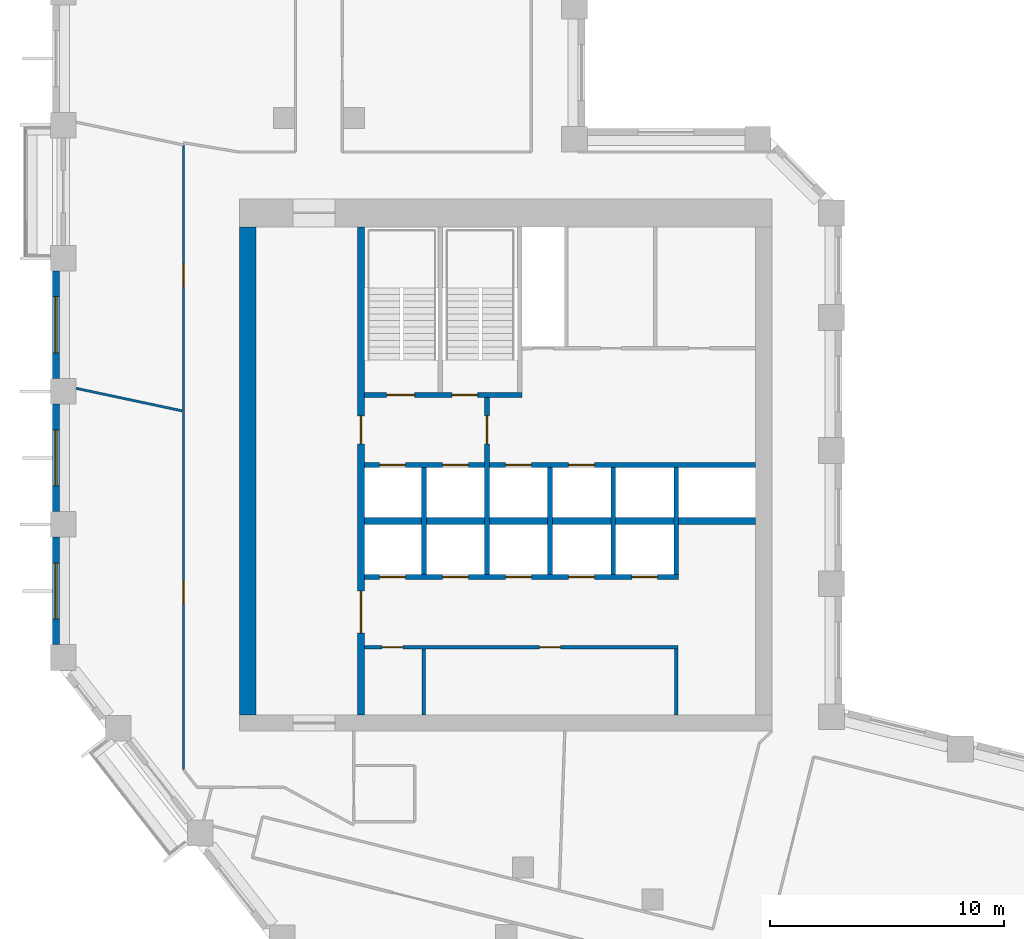
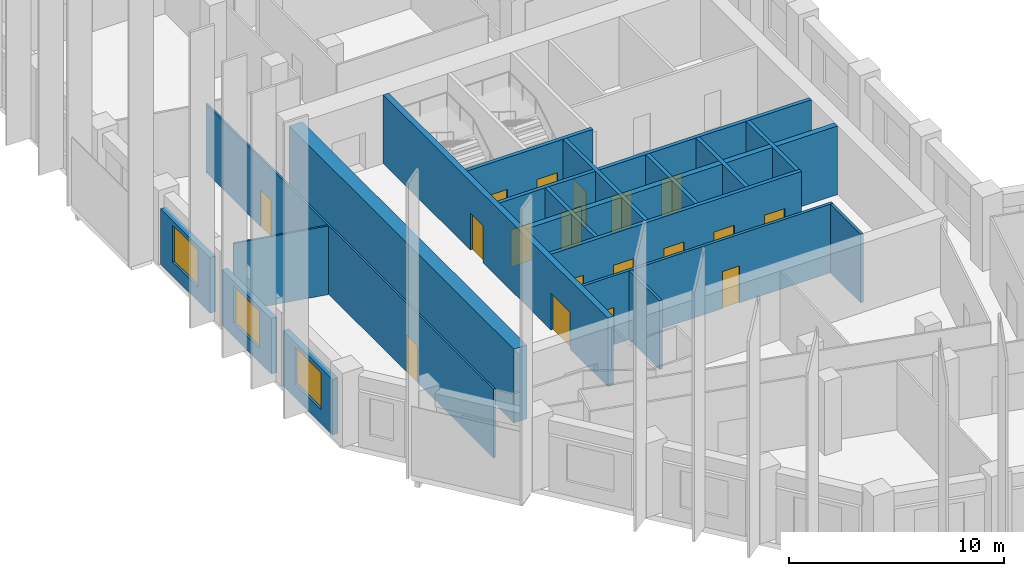
# One storey, part 5 of 10: 19 walls, 18 doors, 3 windows, 21 openings.
"""IFC4 building model written with IfcOpenShell, lengths in metres."""

import ifcopenshell
import ifcopenshell.guid

model = None  # the IFC model being written
_history = None  # IfcOwnerHistory: only IFC2X3 demands one
_inside = {}  # id of a spatial element -> (the spatial element, [elements in it])
_under = {}  # id of a project, library or spatial element -> (it, [spatial elements below it])
_declared = {}  # id of a project -> (the project, [libraries it declares])
_typed = {}  # id of a type object -> (the type object, [elements of that type])
_made_of = {}  # id of a material, layer set ... -> (it, [elements and type objects made of it])


def new_model(schema):
    """Start an empty IFC model of exactly this schema.

    Asked for "IFC4X3", IfcOpenShell would pick the latest addendum, in which some entities
    have other attributes; the version numbers below select the first issue.
    IFC2X3 requires an IfcOwnerHistory on every rooted entity: one is made here for all.
    """
    global model, _history
    if schema == "IFC4X3":
        model = ifcopenshell.file(schema_version=(4, 3, 0, 0))
    else:
        model = ifcopenshell.file(schema=schema)
    _inside.clear()
    _under.clear()
    _declared.clear()
    _typed.clear()
    _made_of.clear()
    _history = None
    if model.schema == "IFC2X3":
        org = make("IfcOrganization", Name="unknown")
        user = make(
            "IfcPersonAndOrganization",
            ThePerson=make("IfcPerson", FamilyName="unknown"),
            TheOrganization=org,
        )
        app = make(
            "IfcApplication",
            ApplicationDeveloper=org,
            Version="unknown",
            ApplicationFullName="unknown",
            ApplicationIdentifier="unknown",
        )
        _history = make(
            "IfcOwnerHistory",
            OwningUser=user,
            OwningApplication=app,
            ChangeAction="ADDED",
            CreationDate=0,
        )
    return model


def make(cls, **values):
    """One entity of the class cls with the attributes given. An attribute that is None is left unset."""
    return model.create_entity(
        cls, **{name: value for name, value in values.items() if value is not None}
    )


def rooted(cls, **values):
    """An entity with a GlobalId (a new one), such as an element, a storey or a relation."""
    return make(cls, GlobalId=ifcopenshell.guid.new(), OwnerHistory=_history, **values)


def si_unit(unit_type, name, prefix=None):
    """IfcSIUnit, for example si_unit("LENGTHUNIT", "METRE", prefix="MILLI")."""
    return make("IfcSIUnit", UnitType=unit_type, Prefix=prefix, Name=name)


def assignment(units):
    """IfcUnitAssignment: the units of a project."""
    return None if units is None else make("IfcUnitAssignment", Units=units)


def point(xyz):
    """IfcCartesianPoint."""
    return None if xyz is None else make("IfcCartesianPoint", Coordinates=xyz)


def direction(xyz):
    """IfcDirection."""
    return None if xyz is None else make("IfcDirection", DirectionRatios=xyz)


def frame(location, z_axis=None, x_axis=None):
    """IfcAxis2Placement3D, a coordinate frame: its origin and axes. An axis left out is left unset."""
    return make(
        "IfcAxis2Placement3D",
        Location=point(location),
        Axis=direction(z_axis),
        RefDirection=direction(x_axis),
    )


def frame_2d(location, x_axis=None):
    """IfcAxis2Placement2D, a coordinate frame in the plane: its origin and x axis."""
    return make(
        "IfcAxis2Placement2D", Location=point(location), RefDirection=direction(x_axis)
    )


def origin():
    """The frame at (0, 0, 0) with its axes left unset."""
    return frame((0.0, 0.0, 0.0))


def place(relative_to, where):
    """IfcLocalPlacement: puts the frame where relative to a parent placement (None: the world)."""
    return make(
        "IfcLocalPlacement", PlacementRelTo=relative_to, RelativePlacement=where
    )


def context(
    kind, dimensions, precision=None, world=None, true_north=None, identifier=None
):
    """IfcGeometricRepresentationContext, for example the 3D "Model" context."""
    return make(
        "IfcGeometricRepresentationContext",
        ContextIdentifier=identifier,
        ContextType=kind,
        CoordinateSpaceDimension=dimensions,
        Precision=precision,
        WorldCoordinateSystem=world,
        TrueNorth=true_north,
    )


def subcontext(parent, identifier, kind, view, scale=None):
    """IfcGeometricRepresentationSubContext, for example "Body" below "Model"."""
    return make(
        "IfcGeometricRepresentationSubContext",
        ContextIdentifier=identifier,
        ContextType=kind,
        ParentContext=parent,
        TargetScale=scale,
        TargetView=view,
    )


def project(units=None, contexts=None):
    """IfcProject with its units and contexts."""
    return rooted(
        "IfcProject",
        Name="project",
        RepresentationContexts=contexts,
        UnitsInContext=assignment(units),
    )


def spatial(cls, under=None, at=None, **own):
    """A site, building, storey or space (cls), placed at a placement, below another one or the project."""
    s = rooted(cls, ObjectPlacement=at, **own)
    if under is not None:
        _under.setdefault(under.id(), (under, []))[1].append(s)
    return s


def profile(cls, at=None, kind="AREA", **sizes):
    """A parametric profile (cls). Its sizes go by their IFC names, for example OverallWidth=200.0."""
    return make(cls, ProfileType=kind, Position=at, **sizes)


def rectangle(**sizes):
    """IfcRectangleProfileDef."""
    return profile("IfcRectangleProfileDef", **sizes)


def extrude(swept, where, along, depth):
    """IfcExtrudedAreaSolid: the profile swept, set in the frame where, extruded along a direction by depth."""
    return make(
        "IfcExtrudedAreaSolid",
        SweptArea=swept,
        Position=where,
        ExtrudedDirection=direction(along),
        Depth=depth,
    )


def shape(context_of_items, identifier, shape_type, items):
    """IfcShapeRepresentation: the items that make up one representation, for example the "Body"."""
    return make(
        "IfcShapeRepresentation",
        ContextOfItems=context_of_items,
        RepresentationIdentifier=identifier,
        RepresentationType=shape_type,
        Items=items,
    )


def material(Name=None, Category=None):
    """IfcMaterial."""
    return make("IfcMaterial", Name=Name, Category=Category)


def layer(
    of_material, thickness, ventilated=None, Name=None, Category=None, Priority=None
):
    """IfcMaterialLayer: one layer of a wall or slab, of a material (None: an air gap)."""
    return make(
        "IfcMaterialLayer",
        Material=of_material,
        LayerThickness=thickness,
        IsVentilated=ventilated,
        Name=Name,
        Category=Category,
        Priority=Priority,
    )


def layer_set(layers, Name=None):
    """IfcMaterialLayerSet."""
    return make("IfcMaterialLayerSet", MaterialLayers=layers, LayerSetName=Name)


def made_of(thing, what):
    """Note that an element or type object is made of a material, layer set ...; save() writes the relation."""
    if what is not None:
        _made_of.setdefault(what.id(), (what, []))[1].append(thing)
    return thing


def type_object(cls, material=None, **own):
    """A type object (cls), such as IfcWallType, which elements share."""
    return made_of(rooted(cls, **own), material)


def element(
    cls,
    number,
    at=None,
    inside=None,
    cuts=None,
    type_object=None,
    material=None,
    context=None,
    identifier="Body",
    shape_type=None,
    held_by="IfcProductDefinitionShape",
    body=None,
    shapes=None,
    **own,
):
    """One element of the class cls, such as IfcWall. Its Tag is "e" and its number.

    at: its placement. inside: the storey or other place that contains it. cuts: it is an
    opening in that element (IfcRelVoidsElement). A single representation is given by context,
    identifier, shape_type and body (its items); several are given by shapes. held_by: the class
    of the entity that holds the representations. save() writes the other relations.
    """
    e = rooted(cls, Tag="e%d" % number, ObjectPlacement=at, **own)
    if body is not None:
        shapes = [shape(context, identifier, shape_type, body)]
    if shapes is not None:
        e.Representation = make(held_by, Representations=shapes)
    if inside is not None:
        _inside.setdefault(inside.id(), (inside, []))[1].append(e)
    if cuts is not None:
        rooted(
            "IfcRelVoidsElement", RelatingBuildingElement=cuts, RelatedOpeningElement=e
        )
    if type_object is not None:
        _typed.setdefault(type_object.id(), (type_object, []))[1].append(e)
    return made_of(e, material)


def fill(opening, filler):
    """IfcRelFillsElement: the door or window that sits in an opening."""
    return rooted(
        "IfcRelFillsElement",
        RelatingOpeningElement=opening,
        RelatedBuildingElement=filler,
    )


def aggregate(whole, parts):
    """IfcRelAggregates: a whole, such as a stair, and the parts it consists of."""
    return rooted("IfcRelAggregates", RelatingObject=whole, RelatedObjects=parts)


def save(model, path):
    """Write the relations noted so far, then the file.

    IfcRelAggregates (storeys below a building ...), IfcRelContainedInSpatialStructure (elements
    in a storey), IfcRelDefinesByType, IfcRelAssociatesMaterial and IfcRelDeclares: one each for
    every whole, place, type object, material and project.
    """
    for whole, parts in _under.values():
        aggregate(whole, parts)
    for where, things in _inside.values():
        rooted(
            "IfcRelContainedInSpatialStructure",
            RelatedElements=things,
            RelatingStructure=where,
        )
    for kind, things in _typed.values():
        rooted("IfcRelDefinesByType", RelatedObjects=things, RelatingType=kind)
    for what, things in _made_of.values():
        rooted("IfcRelAssociatesMaterial", RelatedObjects=things, RelatingMaterial=what)
    for by, libraries in _declared.values():
        rooted("IfcRelDeclares", RelatingContext=by, RelatedDefinitions=libraries)
    model.write(path)


model = new_model("IFC4")

# Units and contexts
model_context = context("Model", 3, precision=1e-05, world=origin(), true_north=direction((0.0, 1.0)))
body_context = subcontext(model_context, "Body", "Model", "MODEL_VIEW")
ifc_project = project(units=[si_unit("LENGTHUNIT", "METRE"), si_unit("AREAUNIT", "SQUARE_METRE"), si_unit("VOLUMEUNIT", "CUBIC_METRE"), si_unit("PLANEANGLEUNIT", "RADIAN"), si_unit("MASSUNIT", "GRAM", prefix="KILO")], contexts=[model_context])

# Site, building, storey
site_placement = place(None, origin())
site = spatial("IfcSite", under=ifc_project, at=site_placement, CompositionType="ELEMENT")
building_placement = place(site_placement, origin())
building = spatial("IfcBuilding", under=site, at=building_placement, Name="Meshkara Civic Tower", CompositionType="ELEMENT")
storey_placement = place(building_placement, frame((0.0, 0.0, 259.199951171875)))
storey = spatial("IfcBuildingStorey", under=building, at=storey_placement, Name="L59", CompositionType="ELEMENT", Elevation=259.199951171875)

# Wall, openings, doors
ifc_material_1 = material(Name="Blockwork", Category="masonry")
ifc_layer_1 = layer(ifc_material_1, 0.14990234375)
ifc_layer_set_1 = layer_set([ifc_layer_1], Name="Core partition 150")
wall_type_1 = type_object("IfcWallType", Name="Core partition 150", PredefinedType="PARTITIONING", material=ifc_layer_set_1)
wall_1_placement = place(storey_placement, frame((13.35009765625, 17.699951171875, 0.0), z_axis=(0.0, 0.0, 1.0), x_axis=(1.0, 0.0, 0.0)))
wall_1 = element("IfcWall", 1, at=wall_1_placement, inside=storey, type_object=wall_type_1, Name="L59-C005", PredefinedType="PARTITIONING", context=body_context, shape_type="SweptSolid", body=[
    extrude(rectangle(XDim=13.4248046875, YDim=0.14990234375, at=frame_2d((6.71240234375, 0.0))), origin(), (0.0, 0.0, 1.0), 3.900146484375),
])
opening_1_placement = place(wall_1_placement, frame((0.75, 0.0, 0.0)))
opening_1 = element("IfcOpeningElement", 2, at=opening_1_placement, cuts=wall_1, Name="Opening L59-K010", PredefinedType="OPENING", context=body_context, shape_type="SweptSolid", body=[
    extrude(rectangle(XDim=0.89990234375, YDim=2.10009765625, at=frame_2d((0.449951171875, 1.050048828125))), frame((0.0, 0.0849609375, 0.0), z_axis=(0.0, -1.0, 0.0), x_axis=(1.0, 0.0, 0.0)), (0.0, 0.0, 1.0), 0.169921875),
])
opening_2_placement = place(wall_1_placement, frame((7.5, 0.0, 0.0)))
opening_2 = element("IfcOpeningElement", 3, at=opening_2_placement, cuts=wall_1, Name="Opening L59-K011", PredefinedType="OPENING", context=body_context, shape_type="SweptSolid", body=[
    extrude(rectangle(XDim=0.89990234375, YDim=2.10009765625, at=frame_2d((0.449951171875, 1.050048828125))), frame((0.0, 0.0849609375, 0.0), z_axis=(0.0, -1.0, 0.0), x_axis=(1.0, 0.0, 0.0)), (0.0, 0.0, 1.0), 0.169921875),
])
ifc_material_2 = material(Name="Timber door leaf in steel frame", Category="steel")
door_type_1 = type_object("IfcDoorType", Name="Core room door 900", OperationType="SINGLE_SWING_LEFT", PredefinedType="DOOR", material=ifc_material_2)
door_1_placement = place(opening_1_placement, origin())
door_1 = element("IfcDoor", 4, at=door_1_placement, inside=storey, type_object=door_type_1, Name="L59-K010", OperationType="SINGLE_SWING_LEFT", OverallHeight=2.10009765625, OverallWidth=0.89990234375, PredefinedType="DOOR", context=body_context, shape_type="SweptSolid", body=[
    extrude(rectangle(XDim=0.89990234375, YDim=2.10009765625, at=frame_2d((0.449951171875, 1.050048828125))), frame((0.0, 0.02490234375, 0.0), z_axis=(0.0, -1.0, 0.0), x_axis=(1.0, 0.0, 0.0)), (0.0, 0.0, 1.0), 0.050048828125),
])
fill(opening_1, door_1)
door_2_placement = place(opening_2_placement, origin())
door_2 = element("IfcDoor", 5, at=door_2_placement, inside=storey, type_object=door_type_1, Name="L59-K011", OperationType="SINGLE_SWING_RIGHT", OverallHeight=2.10009765625, OverallWidth=0.89990234375, PredefinedType="DOOR", context=body_context, shape_type="SweptSolid", body=[
    extrude(rectangle(XDim=0.89990234375, YDim=2.10009765625, at=frame_2d((0.449951171875, 1.050048828125))), frame((0.0, 0.02490234375, 0.0), z_axis=(0.0, -1.0, 0.0), x_axis=(1.0, 0.0, 0.0)), (0.0, 0.0, 1.0), 0.050048828125),
])
fill(opening_2, door_2)

# Walls
for number, where, z_axis, x_axis, name in (
    (6, (15.89990234375, 14.800048828125, 0.0), (0.0, 0.0, 1.0), (0.0, 1.0, 0.0), "L59-C012"),
    (7, (26.699951171875, 14.800048828125, 0.0), (0.0, 0.0, 1.0), (0.0, 1.0, 0.0), "L59-C021"),
):
    element("IfcWall", number, at=place(storey_placement, frame(where, z_axis=z_axis, x_axis=x_axis)), inside=storey, type_object=wall_type_1, Name=name, PredefinedType="PARTITIONING", context=body_context, shape_type="SweptSolid", body=[
        extrude(rectangle(XDim=2.824951171875, YDim=0.14990234375, at=frame_2d((1.41259765625, 0.0))), origin(), (0.0, 0.0, 1.0), 3.900146484375),
    ])
ifc_material_3 = material(Name="Concrete C60", Category="concrete")
ifc_layer_2 = layer(ifc_material_3, 0.699951171875)
ifc_layer_set_2 = layer_set([ifc_layer_2], Name="Core ring wall 700 C60")
wall_type_2 = type_object("IfcWallType", Name="Core ring wall 700 C60", PredefinedType="SHEAR", material=ifc_layer_set_2)
wall_2_placement = place(storey_placement, frame((8.35009765625, 14.800048828125, -0.300048828125), z_axis=(0.0, 0.0, 1.0), x_axis=(0.0, 1.0, 0.0)))
element("IfcWall", 8, at=wall_2_placement, inside=storey, type_object=wall_type_2, Name="L59-C003", PredefinedType="SHEAR", context=body_context, shape_type="SweptSolid", body=[
    extrude(rectangle(XDim=20.89990234375, YDim=0.699951171875, at=frame_2d((10.449951171875, 0.0))), origin(), (0.0, 0.0, 1.0), 4.2001953125),
])
ifc_material_4 = material(Name="Concrete C60", Category="concrete")
ifc_layer_3 = layer(ifc_material_4, 0.300048828125)
ifc_layer_set_3 = layer_set([ifc_layer_3], Name="Core shear wall 300 C60")
wall_type_3 = type_object("IfcWallType", Name="Core shear wall 300 C60", PredefinedType="SHEAR", material=ifc_layer_set_3)
wall_3_placement = place(storey_placement, frame((13.35009765625, 23.10009765625, 0.0), z_axis=(0.0, 0.0, 1.0), x_axis=(1.0, 0.0, 0.0)))
element("IfcWall", 9, at=wall_3_placement, inside=storey, type_object=wall_type_3, Name="L59-C007", PredefinedType="SHEAR", context=body_context, shape_type="SweptSolid", body=[
    extrude(rectangle(XDim=16.75, YDim=0.300048828125, at=frame_2d((8.375, 0.0))), origin(), (0.0, 0.0, 1.0), 3.900146484375),
])

# Wall, openings, doors
wall_4_placement = place(storey_placement, frame((13.199951171875, 14.800048828125, 0.0), z_axis=(0.0, 0.0, 1.0), x_axis=(0.0, 1.0, 0.0)))
wall_4 = element("IfcWall", 10, at=wall_4_placement, inside=storey, type_object=wall_type_3, Name="L59-C011", PredefinedType="SHEAR", context=body_context, shape_type="SweptSolid", body=[
    extrude(rectangle(XDim=20.89990234375, YDim=0.300048828125, at=frame_2d((10.449951171875, 0.0))), origin(), (0.0, 0.0, 1.0), 3.900146484375),
])
opening_3_placement = place(wall_4_placement, frame((3.5, 0.0, 0.0)))
opening_3 = element("IfcOpeningElement", 11, at=opening_3_placement, cuts=wall_4, Name="Opening L59-K017", PredefinedType="OPENING", context=body_context, shape_type="SweptSolid", body=[
    extrude(rectangle(XDim=1.800048828125, YDim=2.10009765625, at=frame_2d((0.89990234375, 1.050048828125))), frame((0.0, 0.159912109375, 0.0), z_axis=(0.0, -1.0, 0.0), x_axis=(1.0, 0.0, 0.0)), (0.0, 0.0, 1.0), 0.320068359375),
])
opening_4_placement = place(wall_4_placement, frame((11.60009765625, 0.0, 0.0)))
opening_4 = element("IfcOpeningElement", 12, at=opening_4_placement, cuts=wall_4, Name="Opening L59-K018", PredefinedType="OPENING", context=body_context, shape_type="SweptSolid", body=[
    extrude(rectangle(XDim=1.199951171875, YDim=2.10009765625, at=frame_2d((0.60009765625, 1.050048828125))), frame((0.0, 0.159912109375, 0.0), z_axis=(0.0, -1.0, 0.0), x_axis=(1.0, 0.0, 0.0)), (0.0, 0.0, 1.0), 0.320068359375),
])
ifc_material_5 = material(Name="Fire-rated door leaf in steel frame", Category="steel")
door_type_2 = type_object("IfcDoorType", Name="Core double door 1800 EI 60", OperationType="DOUBLE_DOOR_SINGLE_SWING", PredefinedType="DOOR", material=ifc_material_5)
door_3_placement = place(opening_3_placement, origin())
door_3 = element("IfcDoor", 13, at=door_3_placement, inside=storey, type_object=door_type_2, Name="L59-K017", OperationType="DOUBLE_DOOR_SINGLE_SWING", OverallHeight=2.10009765625, OverallWidth=1.800048828125, PredefinedType="DOOR", context=body_context, shape_type="SweptSolid", body=[
    extrude(rectangle(XDim=1.800048828125, YDim=2.10009765625, at=frame_2d((0.89990234375, 1.050048828125))), frame((0.0, 0.02490234375, 0.0), z_axis=(0.0, -1.0, 0.0), x_axis=(1.0, 0.0, 0.0)), (0.0, 0.0, 1.0), 0.050048828125),
])
fill(opening_3, door_3)
ifc_material_6 = material(Name="Fire-rated door leaf in steel frame", Category="steel")
door_type_3 = type_object("IfcDoorType", Name="Fire-fighting lobby door 1200 EI 120", OperationType="SINGLE_SWING_LEFT", PredefinedType="DOOR", material=ifc_material_6)
door_4_placement = place(opening_4_placement, origin())
door_4 = element("IfcDoor", 14, at=door_4_placement, inside=storey, type_object=door_type_3, Name="L59-K018", OperationType="SINGLE_SWING_LEFT", OverallHeight=2.10009765625, OverallWidth=1.199951171875, PredefinedType="DOOR", context=body_context, shape_type="SweptSolid", body=[
    extrude(rectangle(XDim=1.199951171875, YDim=2.10009765625, at=frame_2d((0.60009765625, 1.050048828125))), frame((0.0, 0.02490234375, 0.0), z_axis=(0.0, -1.0, 0.0), x_axis=(1.0, 0.0, 0.0)), (0.0, 0.0, 1.0), 0.050048828125),
])
fill(opening_4, door_4)

ifc_material_7 = material(Name="Corridor wall 100")
ifc_layer_4 = layer(ifc_material_7, 0.10009765625)
ifc_layer_set_4 = layer_set([ifc_layer_4], Name="Corridor wall 100")
wall_type_4 = type_object("IfcWallType", Name="Corridor wall 100", PredefinedType="PARTITIONING", material=ifc_layer_set_4)
wall_5_placement = place(storey_placement, frame((5.60009765625, 39.205078125, 0.0), z_axis=(0.0, 0.0, 1.0), x_axis=(0.0, -1.0, 0.0)))
wall_5 = element("IfcWall", 15, at=wall_5_placement, inside=storey, type_object=wall_type_4, Name="L59-W004", PredefinedType="PARTITIONING", context=body_context, shape_type="SweptSolid", body=[
    extrude(rectangle(XDim=26.755126953125, YDim=0.10009765625, at=frame_2d((13.37744140625, 0.0))), origin(), (0.0, 0.0, 1.0), 3.900146484375),
])
opening_5_placement = place(wall_5_placement, frame((18.6669921875, 0.0, 0.0)))
opening_5 = element("IfcOpeningElement", 16, at=opening_5_placement, cuts=wall_5, Name="Opening L59-D013", PredefinedType="OPENING", context=body_context, shape_type="SweptSolid", body=[
    extrude(rectangle(XDim=1.0, YDim=2.10009765625, at=frame_2d((0.5, 1.050048828125))), frame((0.0, 0.06005859375, 0.0), z_axis=(0.0, -1.0, 0.0), x_axis=(1.0, 0.0, 0.0)), (0.0, 0.0, 1.0), 0.1201171875),
])
opening_6_placement = place(wall_5_placement, frame((5.080078125, 0.0, 0.0)))
opening_6 = element("IfcOpeningElement", 17, at=opening_6_placement, cuts=wall_5, Name="Opening L59-D014", PredefinedType="OPENING", context=body_context, shape_type="SweptSolid", body=[
    extrude(rectangle(XDim=1.0, YDim=2.10009765625, at=frame_2d((0.5, 1.050048828125))), frame((0.0, 0.06005859375, 0.0), z_axis=(0.0, -1.0, 0.0), x_axis=(1.0, 0.0, 0.0)), (0.0, 0.0, 1.0), 0.1201171875),
])
ifc_material_8 = material(Name="Door 1000 x 2100")
door_type_4 = type_object("IfcDoorType", Name="Door 1000 x 2100", OperationType="SINGLE_SWING_LEFT", PredefinedType="DOOR", material=ifc_material_8)
door_5_placement = place(opening_5_placement, origin())
door_5 = element("IfcDoor", 18, at=door_5_placement, inside=storey, type_object=door_type_4, Name="L59-D013", OperationType="SINGLE_SWING_LEFT", OverallHeight=2.10009765625, OverallWidth=1.0, PredefinedType="DOOR", context=body_context, shape_type="SweptSolid", body=[
    extrude(rectangle(XDim=1.0, YDim=2.10009765625, at=frame_2d((0.5, 1.050048828125))), frame((0.0, 0.02490234375, 0.0), z_axis=(0.0, -1.0, 0.0), x_axis=(1.0, 0.0, 0.0)), (0.0, 0.0, 1.0), 0.050048828125),
])
fill(opening_5, door_5)
door_6_placement = place(opening_6_placement, origin())
door_6 = element("IfcDoor", 19, at=door_6_placement, inside=storey, type_object=door_type_4, Name="L59-D014", OperationType="SINGLE_SWING_RIGHT", OverallHeight=2.10009765625, OverallWidth=1.0, PredefinedType="DOOR", context=body_context, shape_type="SweptSolid", body=[
    extrude(rectangle(XDim=1.0, YDim=2.10009765625, at=frame_2d((0.5, 1.050048828125))), frame((0.0, 0.02490234375, 0.0), z_axis=(0.0, -1.0, 0.0), x_axis=(1.0, 0.0, 0.0)), (0.0, 0.0, 1.0), 0.050048828125),
])
fill(opening_6, door_6)

# Wall, opening, window
ifc_material_9 = material(Name="Insulated infill panel with bronze anodised aluminium cladding", Category="aluminium")
ifc_layer_5 = layer(ifc_material_9, 0.300048828125)
ifc_layer_set_5 = layer_set([ifc_layer_5], Name="EXTERNAL INFILL WALL 300")
wall_type_5 = type_object("IfcWallType", Name="EXTERNAL INFILL WALL 300", PredefinedType="SOLIDWALL", material=ifc_layer_set_5)
wall_6_placement = place(storey_placement, frame((0.14990234375, 33.804931640625, 0.0), z_axis=(0.0, 0.0, 1.0), x_axis=(0.0, -1.0, 0.0)))
wall_6 = element("IfcWall", 20, at=wall_6_placement, inside=storey, type_object=wall_type_5, Name="External wall", PredefinedType="SOLIDWALL", context=body_context, shape_type="SweptSolid", body=[
    extrude(rectangle(XDim=4.599853515625, YDim=0.300048828125, at=frame_2d((2.2998046875, 0.0))), origin(), (0.0, 0.0, 1.0), 3.150146484375),
])
opening_7_placement = place(wall_6_placement, frame((1.10009765625, 0.0, 0.800048828125)))
opening_7 = element("IfcOpeningElement", 21, at=opening_7_placement, cuts=wall_6, Name="Opening W7", PredefinedType="OPENING", context=body_context, shape_type="SweptSolid", body=[
    extrude(rectangle(XDim=2.39990234375, YDim=2.10009765625, at=frame_2d((1.199951171875, 1.050048828125))), frame((0.0, 0.159912109375, 0.0), z_axis=(0.0, -1.0, 0.0), x_axis=(1.0, 0.0, 0.0)), (0.0, 0.0, 1.0), 0.320068359375),
])
ifc_material_10 = material(Name="Tinted double glazing", Category="glass")
window_type = type_object("IfcWindowType", Name="WINDOW 2400x2100", PartitioningType="DOUBLE_PANEL_VERTICAL", PredefinedType="WINDOW", material=ifc_material_10)
window_1_placement = place(opening_7_placement, origin())
window_1 = element("IfcWindow", 22, at=window_1_placement, inside=storey, type_object=window_type, Name="Window", OverallHeight=2.10009765625, OverallWidth=2.39990234375, PartitioningType="DOUBLE_PANEL_VERTICAL", PredefinedType="WINDOW", context=body_context, shape_type="SweptSolid", body=[
    extrude(rectangle(XDim=2.39990234375, YDim=2.10009765625, at=frame_2d((1.199951171875, 1.050048828125))), frame((0.0, 0.030029296875, 0.0), z_axis=(0.0, -1.0, 0.0), x_axis=(1.0, 0.0, 0.0)), (0.0, 0.0, 1.0), 0.06005859375),
])
fill(opening_7, window_1)

wall_7_placement = place(storey_placement, frame((0.14990234375, 28.10498046875, 0.0), z_axis=(0.0, 0.0, 1.0), x_axis=(0.0, -1.0, 0.0)))
wall_7 = element("IfcWall", 23, at=wall_7_placement, inside=storey, type_object=wall_type_5, Name="External wall", PredefinedType="SOLIDWALL", context=body_context, shape_type="SweptSolid", body=[
    extrude(rectangle(XDim=4.60009765625, YDim=0.300048828125, at=frame_2d((2.300048828125, 0.0))), origin(), (0.0, 0.0, 1.0), 3.150146484375),
])
opening_8_placement = place(wall_7_placement, frame((1.10009765625, 0.0, 0.800048828125)))
opening_8 = element("IfcOpeningElement", 24, at=opening_8_placement, cuts=wall_7, Name="Opening W7", PredefinedType="OPENING", context=body_context, shape_type="SweptSolid", body=[
    extrude(rectangle(XDim=2.39990234375, YDim=2.10009765625, at=frame_2d((1.199951171875, 1.050048828125))), frame((0.0, 0.159912109375, 0.0), z_axis=(0.0, -1.0, 0.0), x_axis=(1.0, 0.0, 0.0)), (0.0, 0.0, 1.0), 0.320068359375),
])
window_2_placement = place(opening_8_placement, origin())
window_2 = element("IfcWindow", 25, at=window_2_placement, inside=storey, type_object=window_type, Name="Window", OverallHeight=2.10009765625, OverallWidth=2.39990234375, PartitioningType="DOUBLE_PANEL_VERTICAL", PredefinedType="WINDOW", context=body_context, shape_type="SweptSolid", body=[
    extrude(rectangle(XDim=2.39990234375, YDim=2.10009765625, at=frame_2d((1.199951171875, 1.050048828125))), frame((0.0, 0.030029296875, 0.0), z_axis=(0.0, -1.0, 0.0), x_axis=(1.0, 0.0, 0.0)), (0.0, 0.0, 1.0), 0.06005859375),
])
fill(opening_8, window_2)

wall_8_placement = place(storey_placement, frame((0.14990234375, 22.405029296875, 0.0), z_axis=(0.0, 0.0, 1.0), x_axis=(0.0, -1.0, 0.0)))
wall_8 = element("IfcWall", 26, at=wall_8_placement, inside=storey, type_object=wall_type_5, Name="External wall", PredefinedType="SOLIDWALL", context=body_context, shape_type="SweptSolid", body=[
    extrude(rectangle(XDim=4.60009765625, YDim=0.300048828125, at=frame_2d((2.300048828125, 0.0))), origin(), (0.0, 0.0, 1.0), 3.150146484375),
])
opening_9_placement = place(wall_8_placement, frame((1.10009765625, 0.0, 0.800048828125)))
opening_9 = element("IfcOpeningElement", 27, at=opening_9_placement, cuts=wall_8, Name="Opening W7", PredefinedType="OPENING", context=body_context, shape_type="SweptSolid", body=[
    extrude(rectangle(XDim=2.39990234375, YDim=2.10009765625, at=frame_2d((1.199951171875, 1.050048828125))), frame((0.0, 0.159912109375, 0.0), z_axis=(0.0, -1.0, 0.0), x_axis=(1.0, 0.0, 0.0)), (0.0, 0.0, 1.0), 0.320068359375),
])
window_3_placement = place(opening_9_placement, origin())
window_3 = element("IfcWindow", 28, at=window_3_placement, inside=storey, type_object=window_type, Name="Window", OverallHeight=2.10009765625, OverallWidth=2.39990234375, PartitioningType="DOUBLE_PANEL_VERTICAL", PredefinedType="WINDOW", context=body_context, shape_type="SweptSolid", body=[
    extrude(rectangle(XDim=2.39990234375, YDim=2.10009765625, at=frame_2d((1.199951171875, 1.050048828125))), frame((0.0, 0.030029296875, 0.0), z_axis=(0.0, -1.0, 0.0), x_axis=(1.0, 0.0, 0.0)), (0.0, 0.0, 1.0), 0.06005859375),
])
fill(opening_9, window_3)

# Wall
ifc_material_11 = material(Name="Partition 100")
ifc_layer_6 = layer(ifc_material_11, 0.10009765625)
ifc_layer_set_6 = layer_set([ifc_layer_6], Name="Partition 100")
wall_type_6 = type_object("IfcWallType", Name="Partition 100", PredefinedType="PARTITIONING", material=ifc_layer_set_6)
wall_9_placement = place(storey_placement, frame((5.5400390625, 27.818115234375, 0.0), z_axis=(0.0, 0.0, 1.0), x_axis=(-0.978155107638, 0.207876370477, 0.0)))
element("IfcWall", 29, at=wall_9_placement, inside=storey, type_object=wall_type_6, Name="L59-W046", PredefinedType="PARTITIONING", context=body_context, shape_type="SweptSolid", body=[
    extrude(rectangle(XDim=4.641357421875, YDim=0.10009765625, at=frame_2d((2.32080078125, 0.0))), origin(), (0.0, 0.0, 1.0), 3.900146484375),
])

# Wall, openings, doors
ifc_material_12 = material(Name="Concrete C40/50", Category="concrete")
ifc_layer_7 = layer(ifc_material_12, 0.199951171875)
ifc_layer_set_7 = layer_set([ifc_layer_7], Name="Shaft wall 200 C40/50")
wall_type_7 = type_object("IfcWallType", Name="Shaft wall 200 C40/50", PredefinedType="SOLIDWALL", material=ifc_layer_set_7)
wall_10_placement = place(storey_placement, frame((13.35009765625, 20.699951171875, 0.0), z_axis=(0.0, 0.0, 1.0), x_axis=(1.0, 0.0, 0.0)))
wall_10 = element("IfcWall", 30, at=wall_10_placement, inside=storey, type_object=wall_type_7, Name="L59-C006", PredefinedType="SOLIDWALL", context=body_context, shape_type="SweptSolid", body=[
    extrude(rectangle(XDim=13.449951171875, YDim=0.199951171875, at=frame_2d((6.72509765625, 0.0))), origin(), (0.0, 0.0, 1.0), 3.900146484375),
])
opening_10_placement = place(wall_10_placement, frame((0.64990234375, 0.0, 0.0)))
opening_10 = element("IfcOpeningElement", 31, at=opening_10_placement, cuts=wall_10, Name="Opening L59-K001", PredefinedType="OPENING", context=body_context, shape_type="SweptSolid", body=[
    extrude(rectangle(XDim=1.10009765625, YDim=2.10009765625, at=frame_2d((0.550048828125, 1.050048828125))), frame((0.0, 0.10986328125, 0.0), z_axis=(0.0, -1.0, 0.0), x_axis=(1.0, 0.0, 0.0)), (0.0, 0.0, 1.0), 0.219970703125),
])
opening_11_placement = place(wall_10_placement, frame((3.35009765625, 0.0, 0.0)))
opening_11 = element("IfcOpeningElement", 32, at=opening_11_placement, cuts=wall_10, Name="Opening L59-K002", PredefinedType="OPENING", context=body_context, shape_type="SweptSolid", body=[
    extrude(rectangle(XDim=1.10009765625, YDim=2.10009765625, at=frame_2d((0.550048828125, 1.050048828125))), frame((0.0, 0.10986328125, 0.0), z_axis=(0.0, -1.0, 0.0), x_axis=(1.0, 0.0, 0.0)), (0.0, 0.0, 1.0), 0.219970703125),
])
opening_12_placement = place(wall_10_placement, frame((6.050048828125, 0.0, 0.0)))
opening_12 = element("IfcOpeningElement", 33, at=opening_12_placement, cuts=wall_10, Name="Opening L59-K003", PredefinedType="OPENING", context=body_context, shape_type="SweptSolid", body=[
    extrude(rectangle(XDim=1.10009765625, YDim=2.10009765625, at=frame_2d((0.550048828125, 1.050048828125))), frame((0.0, 0.10986328125, 0.0), z_axis=(0.0, -1.0, 0.0), x_axis=(1.0, 0.0, 0.0)), (0.0, 0.0, 1.0), 0.219970703125),
])
opening_13_placement = place(wall_10_placement, frame((8.75, 0.0, 0.0)))
opening_13 = element("IfcOpeningElement", 34, at=opening_13_placement, cuts=wall_10, Name="Opening L59-K004", PredefinedType="OPENING", context=body_context, shape_type="SweptSolid", body=[
    extrude(rectangle(XDim=1.10009765625, YDim=2.10009765625, at=frame_2d((0.550048828125, 1.050048828125))), frame((0.0, 0.10986328125, 0.0), z_axis=(0.0, -1.0, 0.0), x_axis=(1.0, 0.0, 0.0)), (0.0, 0.0, 1.0), 0.219970703125),
])
opening_14_placement = place(wall_10_placement, frame((11.449951171875, 0.0, 0.0)))
opening_14 = element("IfcOpeningElement", 35, at=opening_14_placement, cuts=wall_10, Name="Opening L59-K005", PredefinedType="OPENING", context=body_context, shape_type="SweptSolid", body=[
    extrude(rectangle(XDim=1.10009765625, YDim=2.10009765625, at=frame_2d((0.550048828125, 1.050048828125))), frame((0.0, 0.10986328125, 0.0), z_axis=(0.0, -1.0, 0.0), x_axis=(1.0, 0.0, 0.0)), (0.0, 0.0, 1.0), 0.219970703125),
])
ifc_material_13 = material(Name="Stainless steel landing door", Category="steel")
door_type_5 = type_object("IfcDoorType", Name="Lift landing door 1100", OperationType="SLIDING_TO_LEFT", PredefinedType="DOOR", material=ifc_material_13)
door_7_placement = place(opening_10_placement, origin())
door_7 = element("IfcDoor", 36, at=door_7_placement, inside=storey, type_object=door_type_5, Name="L59-K001", OperationType="SLIDING_TO_LEFT", OverallHeight=2.10009765625, OverallWidth=1.10009765625, PredefinedType="DOOR", context=body_context, shape_type="SweptSolid", body=[
    extrude(rectangle(XDim=1.10009765625, YDim=2.10009765625, at=frame_2d((0.550048828125, 1.050048828125))), frame((0.0, 0.02490234375, 0.0), z_axis=(0.0, -1.0, 0.0), x_axis=(1.0, 0.0, 0.0)), (0.0, 0.0, 1.0), 0.050048828125),
])
fill(opening_10, door_7)
door_8_placement = place(opening_11_placement, origin())
door_8 = element("IfcDoor", 37, at=door_8_placement, inside=storey, type_object=door_type_5, Name="L59-K002", OperationType="SLIDING_TO_LEFT", OverallHeight=2.10009765625, OverallWidth=1.10009765625, PredefinedType="DOOR", context=body_context, shape_type="SweptSolid", body=[
    extrude(rectangle(XDim=1.10009765625, YDim=2.10009765625, at=frame_2d((0.550048828125, 1.050048828125))), frame((0.0, 0.02490234375, 0.0), z_axis=(0.0, -1.0, 0.0), x_axis=(1.0, 0.0, 0.0)), (0.0, 0.0, 1.0), 0.050048828125),
])
fill(opening_11, door_8)
door_9_placement = place(opening_12_placement, origin())
door_9 = element("IfcDoor", 38, at=door_9_placement, inside=storey, type_object=door_type_5, Name="L59-K003", OperationType="SLIDING_TO_LEFT", OverallHeight=2.10009765625, OverallWidth=1.10009765625, PredefinedType="DOOR", context=body_context, shape_type="SweptSolid", body=[
    extrude(rectangle(XDim=1.10009765625, YDim=2.10009765625, at=frame_2d((0.550048828125, 1.050048828125))), frame((0.0, 0.02490234375, 0.0), z_axis=(0.0, -1.0, 0.0), x_axis=(1.0, 0.0, 0.0)), (0.0, 0.0, 1.0), 0.050048828125),
])
fill(opening_12, door_9)
door_10_placement = place(opening_13_placement, origin())
door_10 = element("IfcDoor", 39, at=door_10_placement, inside=storey, type_object=door_type_5, Name="L59-K004", OperationType="SLIDING_TO_LEFT", OverallHeight=2.10009765625, OverallWidth=1.10009765625, PredefinedType="DOOR", context=body_context, shape_type="SweptSolid", body=[
    extrude(rectangle(XDim=1.10009765625, YDim=2.10009765625, at=frame_2d((0.550048828125, 1.050048828125))), frame((0.0, 0.02490234375, 0.0), z_axis=(0.0, -1.0, 0.0), x_axis=(1.0, 0.0, 0.0)), (0.0, 0.0, 1.0), 0.050048828125),
])
fill(opening_13, door_10)
door_11_placement = place(opening_14_placement, origin())
door_11 = element("IfcDoor", 40, at=door_11_placement, inside=storey, type_object=door_type_5, Name="L59-K005", OperationType="SLIDING_TO_LEFT", OverallHeight=2.10009765625, OverallWidth=1.10009765625, PredefinedType="DOOR", context=body_context, shape_type="SweptSolid", body=[
    extrude(rectangle(XDim=1.10009765625, YDim=2.10009765625, at=frame_2d((0.550048828125, 1.050048828125))), frame((0.0, 0.02490234375, 0.0), z_axis=(0.0, -1.0, 0.0), x_axis=(1.0, 0.0, 0.0)), (0.0, 0.0, 1.0), 0.050048828125),
])
fill(opening_14, door_11)

wall_11_placement = place(storey_placement, frame((13.35009765625, 25.5, 0.0), z_axis=(0.0, 0.0, 1.0), x_axis=(1.0, 0.0, 0.0)))
wall_11 = element("IfcWall", 41, at=wall_11_placement, inside=storey, type_object=wall_type_7, Name="L59-C008", PredefinedType="SOLIDWALL", context=body_context, shape_type="SweptSolid", body=[
    extrude(rectangle(XDim=16.75, YDim=0.199951171875, at=frame_2d((8.375, 0.0))), origin(), (0.0, 0.0, 1.0), 3.900146484375),
])
opening_15_placement = place(wall_11_placement, frame((0.64990234375, 0.0, 0.0)))
opening_15 = element("IfcOpeningElement", 42, at=opening_15_placement, cuts=wall_11, Name="Opening L59-K006", PredefinedType="OPENING", context=body_context, shape_type="SweptSolid", body=[
    extrude(rectangle(XDim=1.10009765625, YDim=2.10009765625, at=frame_2d((0.550048828125, 1.050048828125))), frame((0.0, 0.10986328125, 0.0), z_axis=(0.0, -1.0, 0.0), x_axis=(1.0, 0.0, 0.0)), (0.0, 0.0, 1.0), 0.219970703125),
])
opening_16_placement = place(wall_11_placement, frame((3.35009765625, 0.0, 0.0)))
opening_16 = element("IfcOpeningElement", 43, at=opening_16_placement, cuts=wall_11, Name="Opening L59-K007", PredefinedType="OPENING", context=body_context, shape_type="SweptSolid", body=[
    extrude(rectangle(XDim=1.10009765625, YDim=2.10009765625, at=frame_2d((0.550048828125, 1.050048828125))), frame((0.0, 0.10986328125, 0.0), z_axis=(0.0, -1.0, 0.0), x_axis=(1.0, 0.0, 0.0)), (0.0, 0.0, 1.0), 0.219970703125),
])
opening_17_placement = place(wall_11_placement, frame((6.050048828125, 0.0, 0.0)))
opening_17 = element("IfcOpeningElement", 44, at=opening_17_placement, cuts=wall_11, Name="Opening L59-K008", PredefinedType="OPENING", context=body_context, shape_type="SweptSolid", body=[
    extrude(rectangle(XDim=1.10009765625, YDim=2.10009765625, at=frame_2d((0.550048828125, 1.050048828125))), frame((0.0, 0.10986328125, 0.0), z_axis=(0.0, -1.0, 0.0), x_axis=(1.0, 0.0, 0.0)), (0.0, 0.0, 1.0), 0.219970703125),
])
opening_18_placement = place(wall_11_placement, frame((8.75, 0.0, 0.0)))
opening_18 = element("IfcOpeningElement", 45, at=opening_18_placement, cuts=wall_11, Name="Opening L59-K009", PredefinedType="OPENING", context=body_context, shape_type="SweptSolid", body=[
    extrude(rectangle(XDim=1.10009765625, YDim=2.10009765625, at=frame_2d((0.550048828125, 1.050048828125))), frame((0.0, 0.10986328125, 0.0), z_axis=(0.0, -1.0, 0.0), x_axis=(1.0, 0.0, 0.0)), (0.0, 0.0, 1.0), 0.219970703125),
])
door_12_placement = place(opening_15_placement, origin())
door_12 = element("IfcDoor", 46, at=door_12_placement, inside=storey, type_object=door_type_5, Name="L59-K006", OperationType="SLIDING_TO_LEFT", OverallHeight=2.10009765625, OverallWidth=1.10009765625, PredefinedType="DOOR", context=body_context, shape_type="SweptSolid", body=[
    extrude(rectangle(XDim=1.10009765625, YDim=2.10009765625, at=frame_2d((0.550048828125, 1.050048828125))), frame((0.0, 0.02490234375, 0.0), z_axis=(0.0, -1.0, 0.0), x_axis=(1.0, 0.0, 0.0)), (0.0, 0.0, 1.0), 0.050048828125),
])
fill(opening_15, door_12)
door_13_placement = place(opening_16_placement, origin())
door_13 = element("IfcDoor", 47, at=door_13_placement, inside=storey, type_object=door_type_5, Name="L59-K007", OperationType="SLIDING_TO_LEFT", OverallHeight=2.10009765625, OverallWidth=1.10009765625, PredefinedType="DOOR", context=body_context, shape_type="SweptSolid", body=[
    extrude(rectangle(XDim=1.10009765625, YDim=2.10009765625, at=frame_2d((0.550048828125, 1.050048828125))), frame((0.0, 0.02490234375, 0.0), z_axis=(0.0, -1.0, 0.0), x_axis=(1.0, 0.0, 0.0)), (0.0, 0.0, 1.0), 0.050048828125),
])
fill(opening_16, door_13)
door_14_placement = place(opening_17_placement, origin())
door_14 = element("IfcDoor", 48, at=door_14_placement, inside=storey, type_object=door_type_5, Name="L59-K008", OperationType="SLIDING_TO_LEFT", OverallHeight=2.10009765625, OverallWidth=1.10009765625, PredefinedType="DOOR", context=body_context, shape_type="SweptSolid", body=[
    extrude(rectangle(XDim=1.10009765625, YDim=2.10009765625, at=frame_2d((0.550048828125, 1.050048828125))), frame((0.0, 0.02490234375, 0.0), z_axis=(0.0, -1.0, 0.0), x_axis=(1.0, 0.0, 0.0)), (0.0, 0.0, 1.0), 0.050048828125),
])
fill(opening_17, door_14)
door_15_placement = place(opening_18_placement, origin())
door_15 = element("IfcDoor", 49, at=door_15_placement, inside=storey, type_object=door_type_5, Name="L59-K009", OperationType="SLIDING_TO_LEFT", OverallHeight=2.10009765625, OverallWidth=1.10009765625, PredefinedType="DOOR", context=body_context, shape_type="SweptSolid", body=[
    extrude(rectangle(XDim=1.10009765625, YDim=2.10009765625, at=frame_2d((0.550048828125, 1.050048828125))), frame((0.0, 0.02490234375, 0.0), z_axis=(0.0, -1.0, 0.0), x_axis=(1.0, 0.0, 0.0)), (0.0, 0.0, 1.0), 0.050048828125),
])
fill(opening_18, door_15)

# Wall
wall_12_placement = place(storey_placement, frame((15.89990234375, 20.800048828125, 0.0), z_axis=(0.0, 0.0, 1.0), x_axis=(0.0, 1.0, 0.0)))
element("IfcWall", 50, at=wall_12_placement, inside=storey, type_object=wall_type_7, Name="L59-C013", PredefinedType="SOLIDWALL", context=body_context, shape_type="SweptSolid", body=[
    extrude(rectangle(XDim=4.599853515625, YDim=0.199951171875, at=frame_2d((2.2998046875, 0.0))), origin(), (0.0, 0.0, 1.0), 3.900146484375),
])

# Wall, opening, door
wall_13_placement = place(storey_placement, frame((18.60009765625, 20.800048828125, 0.0), z_axis=(0.0, 0.0, 1.0), x_axis=(0.0, 1.0, 0.0)))
wall_13 = element("IfcWall", 51, at=wall_13_placement, inside=storey, type_object=wall_type_7, Name="L59-C015", PredefinedType="SOLIDWALL", context=body_context, shape_type="SweptSolid", body=[
    extrude(rectangle(XDim=7.599853515625, YDim=0.199951171875, at=frame_2d((3.7998046875, 0.0))), origin(), (0.0, 0.0, 1.0), 3.900146484375),
])
opening_19_placement = place(wall_13_placement, frame((5.60009765625, 0.0, 0.0)))
opening_19 = element("IfcOpeningElement", 52, at=opening_19_placement, cuts=wall_13, Name="Opening L59-K019", PredefinedType="OPENING", context=body_context, shape_type="SweptSolid", body=[
    extrude(rectangle(XDim=1.199951171875, YDim=2.10009765625, at=frame_2d((0.60009765625, 1.050048828125))), frame((0.0, 0.10986328125, 0.0), z_axis=(0.0, -1.0, 0.0), x_axis=(1.0, 0.0, 0.0)), (0.0, 0.0, 1.0), 0.219970703125),
])
door_16_placement = place(opening_19_placement, origin())
door_16 = element("IfcDoor", 53, at=door_16_placement, inside=storey, type_object=door_type_3, Name="L59-K019", OperationType="SINGLE_SWING_RIGHT", OverallHeight=2.10009765625, OverallWidth=1.199951171875, PredefinedType="DOOR", context=body_context, shape_type="SweptSolid", body=[
    extrude(rectangle(XDim=1.199951171875, YDim=2.10009765625, at=frame_2d((0.60009765625, 1.050048828125))), frame((0.0, 0.02490234375, 0.0), z_axis=(0.0, -1.0, 0.0), x_axis=(1.0, 0.0, 0.0)), (0.0, 0.0, 1.0), 0.050048828125),
])
fill(opening_19, door_16)

# Walls
for number, where, z_axis, x_axis, name in (
    (54, (21.300048828125, 20.800048828125, 0.0), (0.0, 0.0, 1.0), (0.0, 1.0, 0.0), "L59-C017"),
    (55, (24.0, 20.800048828125, 0.0), (0.0, 0.0, 1.0), (0.0, 1.0, 0.0), "L59-C019"),
    (56, (26.699951171875, 20.800048828125, 0.0), (0.0, 0.0, 1.0), (0.0, 1.0, 0.0), "L59-C022"),
):
    element("IfcWall", number, at=place(storey_placement, frame(where, z_axis=z_axis, x_axis=x_axis)), inside=storey, type_object=wall_type_7, Name=name, PredefinedType="SOLIDWALL", context=body_context, shape_type="SweptSolid", body=[
        extrude(rectangle(XDim=4.599853515625, YDim=0.199951171875, at=frame_2d((2.2998046875, 0.0))), origin(), (0.0, 0.0, 1.0), 3.900146484375),
    ])

# Wall, openings, doors
ifc_material_14 = material(Name="Concrete C40/50", Category="concrete")
ifc_layer_8 = layer(ifc_material_14, 0.199951171875)
ifc_layer_set_8 = layer_set([ifc_layer_8], Name="Stair enclosure wall 200 C40/50")
wall_type_8 = type_object("IfcWallType", Name="Stair enclosure wall 200 C40/50", PredefinedType="SOLIDWALL", material=ifc_layer_set_8)
wall_14_placement = place(storey_placement, frame((13.35009765625, 28.5, 0.0), z_axis=(0.0, 0.0, 1.0), x_axis=(1.0, 0.0, 0.0)))
wall_14 = element("IfcWall", 57, at=wall_14_placement, inside=storey, type_object=wall_type_8, Name="L59-C009", PredefinedType="SOLIDWALL", context=body_context, shape_type="SweptSolid", body=[
    extrude(rectangle(XDim=6.75, YDim=0.199951171875, at=frame_2d((3.375, 0.0))), origin(), (0.0, 0.0, 1.0), 3.900146484375),
])
opening_20_placement = place(wall_14_placement, frame((0.949951171875, 0.0, 0.0)))
opening_20 = element("IfcOpeningElement", 58, at=opening_20_placement, cuts=wall_14, Name="Opening L59-K015", PredefinedType="OPENING", context=body_context, shape_type="SweptSolid", body=[
    extrude(rectangle(XDim=1.199951171875, YDim=2.10009765625, at=frame_2d((0.60009765625, 1.050048828125))), frame((0.0, 0.10986328125, 0.0), z_axis=(0.0, -1.0, 0.0), x_axis=(1.0, 0.0, 0.0)), (0.0, 0.0, 1.0), 0.219970703125),
])
opening_21_placement = place(wall_14_placement, frame((3.75, 0.0, 0.0)))
opening_21 = element("IfcOpeningElement", 59, at=opening_21_placement, cuts=wall_14, Name="Opening L59-K016", PredefinedType="OPENING", context=body_context, shape_type="SweptSolid", body=[
    extrude(rectangle(XDim=1.10009765625, YDim=2.10009765625, at=frame_2d((0.550048828125, 1.050048828125))), frame((0.0, 0.10986328125, 0.0), z_axis=(0.0, -1.0, 0.0), x_axis=(1.0, 0.0, 0.0)), (0.0, 0.0, 1.0), 0.219970703125),
])
ifc_material_15 = material(Name="Fire-rated door leaf in steel frame", Category="steel")
door_type_6 = type_object("IfcDoorType", Name="Stair door 1100 EI 120", OperationType="SINGLE_SWING_LEFT", PredefinedType="DOOR", material=ifc_material_15)
door_17_placement = place(opening_21_placement, origin())
door_17 = element("IfcDoor", 60, at=door_17_placement, inside=storey, type_object=door_type_6, Name="L59-K016", OperationType="SINGLE_SWING_LEFT", OverallHeight=2.10009765625, OverallWidth=1.10009765625, PredefinedType="DOOR", context=body_context, shape_type="SweptSolid", body=[
    extrude(rectangle(XDim=1.10009765625, YDim=2.10009765625, at=frame_2d((0.550048828125, 1.050048828125))), frame((0.0, 0.02490234375, 0.0), z_axis=(0.0, -1.0, 0.0), x_axis=(1.0, 0.0, 0.0)), (0.0, 0.0, 1.0), 0.050048828125),
])
fill(opening_21, door_17)
ifc_material_16 = material(Name="Fire-rated door leaf in steel frame", Category="steel")
door_type_7 = type_object("IfcDoorType", Name="Stair door 1200 EI 120", OperationType="SINGLE_SWING_LEFT", PredefinedType="DOOR", material=ifc_material_16)
door_18_placement = place(opening_20_placement, origin())
door_18 = element("IfcDoor", 61, at=door_18_placement, inside=storey, type_object=door_type_7, Name="L59-K015", OperationType="SINGLE_SWING_RIGHT", OverallHeight=2.10009765625, OverallWidth=1.199951171875, PredefinedType="DOOR", context=body_context, shape_type="SweptSolid", body=[
    extrude(rectangle(XDim=1.199951171875, YDim=2.10009765625, at=frame_2d((0.60009765625, 1.050048828125))), frame((0.0, 0.02490234375, 0.0), z_axis=(0.0, -1.0, 0.0), x_axis=(1.0, 0.0, 0.0)), (0.0, 0.0, 1.0), 0.050048828125),
])
fill(opening_20, door_18)

save(model, "model.ifc")
